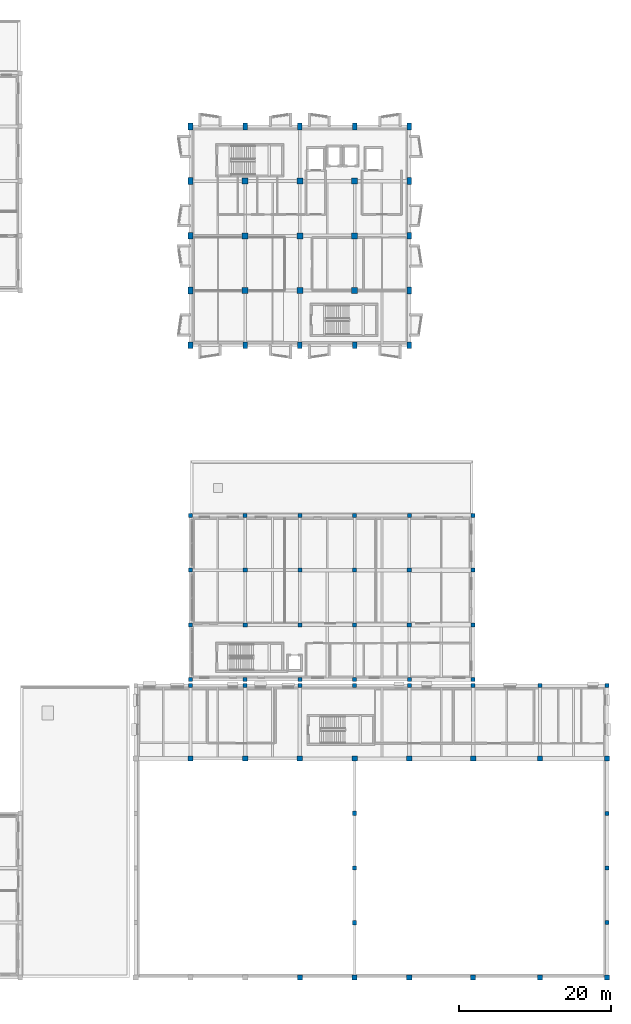
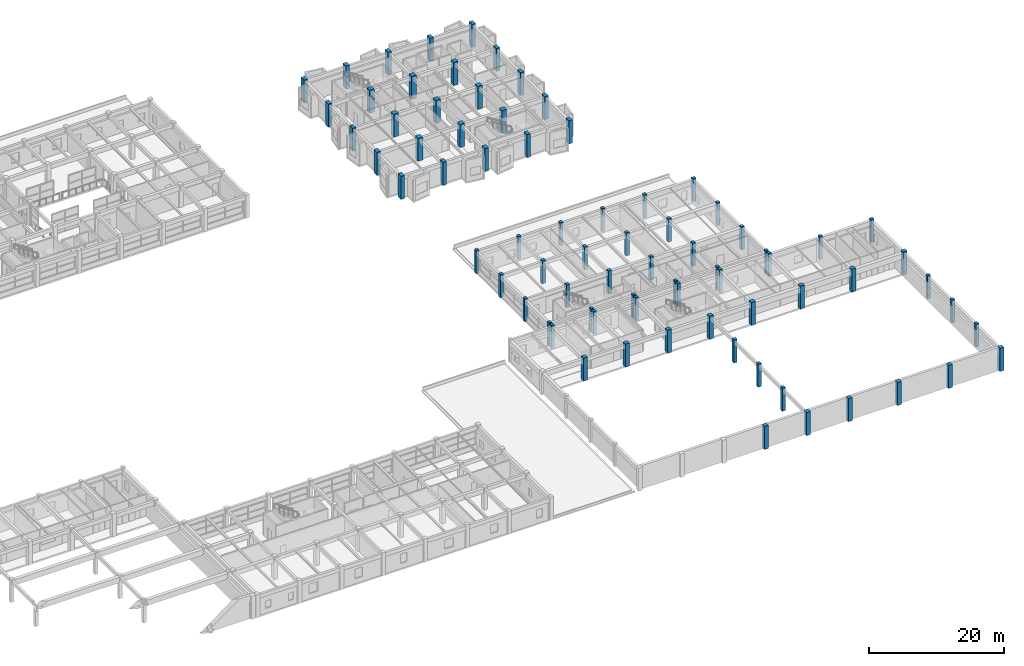
# One storey, part 2 of 67: 77 columns.
"""IFC4 building model written with IfcOpenShell, lengths in metres."""

from ifc_helpers import new_model, si_unit, direction, frame, origin, origin_2d, place, context, subcontext, project, spatial, rectangle, extrude, material, material_profile, profile_set, type_object, element, save


model = new_model("IFC4")

# Units and contexts
model_context = context("Model", 3, precision=1e-05, world=origin(), true_north=direction((0.0, 1.0)))
body_context = subcontext(model_context, "Body", "Model", "MODEL_VIEW")
ifc_project = project(units=[si_unit("LENGTHUNIT", "METRE"), si_unit("AREAUNIT", "SQUARE_METRE"), si_unit("VOLUMEUNIT", "CUBIC_METRE"), si_unit("PLANEANGLEUNIT", "RADIAN"), si_unit("MASSUNIT", "GRAM", prefix="KILO")], contexts=[model_context])

# Site, building, storey
site_placement = place(None, origin())
site = spatial("IfcSite", under=ifc_project, at=site_placement, CompositionType="ELEMENT")
building_placement = place(site_placement, origin())
building = spatial("IfcBuilding", under=site, at=building_placement, Name="Bramveld Media Centre", CompositionType="ELEMENT")
storey_placement = place(building_placement, frame((0.0, 0.0, 5.39990234375)))
storey = spatial("IfcBuildingStorey", under=building, at=storey_placement, Name="L01", CompositionType="ELEMENT", Elevation=5.39990234375)

# Columns
ifc_material_1 = material(Name="Concrete C40/50", Category="concrete")
ifc_material_profile_1 = material_profile(ifc_material_1, rectangle(XDim=0.52001953125, YDim=0.52001953125, at=origin_2d()), Name="RC 520x520")
ifc_profile_set_1 = profile_set([ifc_material_profile_1], Name="Concrete C40/50")
column_type_1 = type_object("IfcColumnType", Name="COL-EXT-RC-520x520", PredefinedType="COLUMN", material=ifc_profile_set_1)
for number, where, z_axis, x_axis, name in (
    (1, (131.199951171875, 38.39990234375, 0.0), (0.0, 0.0, 1.0), (1.0, 0.0, 0.0), "V1 L01 column RC 520x520"),
    (2, (138.39990234375, 38.39990234375, 0.0), (0.0, 0.0, 1.0), (1.0, 0.0, 0.0), "V1 L01 column RC 520x520"),
    (3, (145.60009765625, 38.39990234375, 0.0), (0.0, 0.0, 1.0), (1.0, 0.0, 0.0), "V1 L01 column RC 520x520"),
    (4, (152.800048828125, 38.39990234375, 0.0), (0.0, 0.0, 1.0), (1.0, 0.0, 0.0), "V1 L01 column RC 520x520"),
    (5, (160.0, 38.39990234375, 0.0), (0.0, 0.0, 1.0), (1.0, 0.0, 0.0), "V1 L01 column RC 520x520"),
    (6, (168.39990234375, 38.39990234375, 0.0), (0.0, 0.0, 1.0), (1.0, 0.0, 0.0), "V1 L01 column RC 520x520"),
    (7, (177.199951171875, 38.39990234375, 0.0), (0.0, 0.0, 1.0), (1.0, 0.0, 0.0), "V1 L01 column RC 520x520"),
    (8, (186.0, 7.199951171875, 0.0), (0.0, 0.0, 1.0), (1.0, 0.0, 0.0), "V1 L01 column RC 520x520"),
    (9, (186.0, 14.39990234375, 0.0), (0.0, 0.0, 1.0), (1.0, 0.0, 0.0), "V1 L01 column RC 520x520"),
    (10, (186.0, 21.60009765625, 0.0), (0.0, 0.0, 1.0), (1.0, 0.0, 0.0), "V1 L01 column RC 520x520"),
    (11, (186.0, 38.39990234375, 0.0), (0.0, 0.0, 1.0), (1.0, 0.0, 0.0), "V1 L01 column RC 520x520"),
    (12, (131.199951171875, 39.199951171875, 0.0), (0.0, 0.0, 1.0), (1.0, 0.0, 0.0), "V4 L01 column RC 520x520"),
    (13, (131.199951171875, 46.39990234375, 0.0), (0.0, 0.0, 1.0), (1.0, 0.0, 0.0), "V4 L01 column RC 520x520"),
    (14, (131.199951171875, 53.60009765625, 0.0), (0.0, 0.0, 1.0), (1.0, 0.0, 0.0), "V4 L01 column RC 520x520"),
    (15, (131.199951171875, 60.800048828125, 0.0), (0.0, 0.0, 1.0), (1.0, 0.0, 0.0), "V4 L01 column RC 520x520"),
    (16, (138.39990234375, 39.199951171875, 0.0), (0.0, 0.0, 1.0), (1.0, 0.0, 0.0), "V4 L01 column RC 520x520"),
    (17, (138.39990234375, 60.800048828125, 0.0), (0.0, 0.0, 1.0), (1.0, 0.0, 0.0), "V4 L01 column RC 520x520"),
    (18, (145.60009765625, 39.199951171875, 0.0), (0.0, 0.0, 1.0), (1.0, 0.0, 0.0), "V4 L01 column RC 520x520"),
    (19, (145.60009765625, 60.800048828125, 0.0), (0.0, 0.0, 1.0), (1.0, 0.0, 0.0), "V4 L01 column RC 520x520"),
    (20, (152.800048828125, 39.199951171875, 0.0), (0.0, 0.0, 1.0), (1.0, 0.0, 0.0), "V4 L01 column RC 520x520"),
    (21, (152.800048828125, 60.800048828125, 0.0), (0.0, 0.0, 1.0), (1.0, 0.0, 0.0), "V4 L01 column RC 520x520"),
    (22, (160.0, 39.199951171875, 0.0), (0.0, 0.0, 1.0), (1.0, 0.0, 0.0), "V4 L01 column RC 520x520"),
    (23, (160.0, 60.800048828125, 0.0), (0.0, 0.0, 1.0), (1.0, 0.0, 0.0), "V4 L01 column RC 520x520"),
    (24, (168.39990234375, 39.199951171875, 0.0), (0.0, 0.0, 1.0), (1.0, 0.0, 0.0), "V4 L01 column RC 520x520"),
    (25, (168.39990234375, 46.39990234375, 0.0), (0.0, 0.0, 1.0), (1.0, 0.0, 0.0), "V4 L01 column RC 520x520"),
    (26, (168.39990234375, 53.60009765625, 0.0), (0.0, 0.0, 1.0), (1.0, 0.0, 0.0), "V4 L01 column RC 520x520"),
    (27, (168.39990234375, 60.800048828125, 0.0), (0.0, 0.0, 1.0), (1.0, 0.0, 0.0), "V4 L01 column RC 520x520"),
):
    element("IfcColumn", number, at=place(storey_placement, frame(where, z_axis=z_axis, x_axis=x_axis)), inside=storey, type_object=column_type_1, Name=name, PredefinedType="COLUMN", context=body_context, shape_type="SweptSolid", body=[
        extrude(rectangle(XDim=0.52001953125, YDim=0.52001953125, at=origin_2d()), origin(), (0.0, 0.0, 1.0), 4.2001953125),
    ])
ifc_material_2 = material(Name="Concrete C40/50", Category="concrete")
ifc_material_profile_2 = material_profile(ifc_material_2, rectangle(XDim=0.60009765625, YDim=0.89990234375, at=origin_2d()), Name="RC 600x900")
ifc_profile_set_2 = profile_set([ifc_material_profile_2], Name="Concrete C40/50")
column_type_2 = type_object("IfcColumnType", Name="COL-EXT-RC-600x900", PredefinedType="COLUMN", material=ifc_profile_set_2)
for number, where, z_axis, x_axis, name in (
    (28, (131.199951171875, 83.199951171875, 0.0), (0.0, 0.0, 1.0), (1.0, 0.0, 0.0), "V7 L01 column RC 600x900"),
    (29, (131.199951171875, 90.39990234375, 0.0), (0.0, 0.0, 1.0), (1.0, 0.0, 0.0), "V7 L01 column RC 600x900"),
    (30, (131.199951171875, 97.60009765625, 0.0), (0.0, 0.0, 1.0), (1.0, 0.0, 0.0), "V7 L01 column RC 600x900"),
    (31, (131.199951171875, 104.800048828125, 0.0), (0.0, 0.0, 1.0), (1.0, 0.0, 0.0), "V7 L01 column RC 600x900"),
    (32, (131.199951171875, 112.0, 0.0), (0.0, 0.0, 1.0), (1.0, 0.0, 0.0), "V7 L01 column RC 600x900"),
    (33, (138.39990234375, 83.199951171875, 0.0), (0.0, 0.0, 1.0), (1.0, 0.0, 0.0), "V7 L01 column RC 600x900"),
    (34, (138.39990234375, 112.0, 0.0), (0.0, 0.0, 1.0), (1.0, 0.0, 0.0), "V7 L01 column RC 600x900"),
    (35, (145.60009765625, 83.199951171875, 0.0), (0.0, 0.0, 1.0), (1.0, 0.0, 0.0), "V7 L01 column RC 600x900"),
    (36, (145.60009765625, 112.0, 0.0), (0.0, 0.0, 1.0), (1.0, 0.0, 0.0), "V7 L01 column RC 600x900"),
    (37, (152.800048828125, 83.199951171875, 0.0), (0.0, 0.0, 1.0), (1.0, 0.0, 0.0), "V7 L01 column RC 600x900"),
    (38, (152.800048828125, 112.0, 0.0), (0.0, 0.0, 1.0), (1.0, 0.0, 0.0), "V7 L01 column RC 600x900"),
    (39, (160.0, 83.199951171875, 0.0), (0.0, 0.0, 1.0), (1.0, 0.0, 0.0), "V7 L01 column RC 600x900"),
    (40, (160.0, 90.39990234375, 0.0), (0.0, 0.0, 1.0), (1.0, 0.0, 0.0), "V7 L01 column RC 600x900"),
    (41, (160.0, 97.60009765625, 0.0), (0.0, 0.0, 1.0), (1.0, 0.0, 0.0), "V7 L01 column RC 600x900"),
    (42, (160.0, 104.800048828125, 0.0), (0.0, 0.0, 1.0), (1.0, 0.0, 0.0), "V7 L01 column RC 600x900"),
    (43, (160.0, 112.0, 0.0), (0.0, 0.0, 1.0), (1.0, 0.0, 0.0), "V7 L01 column RC 600x900"),
):
    element("IfcColumn", number, at=place(storey_placement, frame(where, z_axis=z_axis, x_axis=x_axis)), inside=storey, type_object=column_type_2, Name=name, PredefinedType="COLUMN", context=body_context, shape_type="SweptSolid", body=[
        extrude(rectangle(XDim=0.60009765625, YDim=0.89990234375, at=origin_2d()), origin(), (0.0, 0.0, 1.0), 4.2001953125),
    ])
ifc_material_3 = material(Name="Concrete C40/50", Category="concrete")
ifc_material_profile_3 = material_profile(ifc_material_3, rectangle(XDim=0.679931640625, YDim=0.679931640625, at=origin_2d()), Name="RC 680x680")
ifc_profile_set_3 = profile_set([ifc_material_profile_3], Name="Concrete C40/50")
column_type_3 = type_object("IfcColumnType", Name="COL-EXT-RC-680x680", PredefinedType="COLUMN", material=ifc_profile_set_3)
for number, where, z_axis, x_axis, name in (
    (44, (145.60009765625, 0.0, 0.0), (0.0, 0.0, 1.0), (1.0, 0.0, 0.0), "V1 L01 column RC 680x680"),
    (45, (152.800048828125, 0.0, 0.0), (0.0, 0.0, 1.0), (1.0, 0.0, 0.0), "V1 L01 column RC 680x680"),
    (46, (160.0, 0.0, 0.0), (0.0, 0.0, 1.0), (1.0, 0.0, 0.0), "V1 L01 column RC 680x680"),
    (47, (168.39990234375, 0.0, 0.0), (0.0, 0.0, 1.0), (1.0, 0.0, 0.0), "V1 L01 column RC 680x680"),
    (48, (177.199951171875, 0.0, 0.0), (0.0, 0.0, 1.0), (1.0, 0.0, 0.0), "V1 L01 column RC 680x680"),
    (49, (186.0, 0.0, 0.0), (0.0, 0.0, 1.0), (1.0, 0.0, 0.0), "V1 L01 column RC 680x680"),
    (50, (186.0, 28.800048828125, 0.0), (0.0, 0.0, 1.0), (1.0, 0.0, 0.0), "V1 L01 column RC 680x680"),
):
    element("IfcColumn", number, at=place(storey_placement, frame(where, z_axis=z_axis, x_axis=x_axis)), inside=storey, type_object=column_type_3, Name=name, PredefinedType="COLUMN", context=body_context, shape_type="SweptSolid", body=[
        extrude(rectangle(XDim=0.679931640625, YDim=0.679931640625, at=origin_2d()), origin(), (0.0, 0.0, 1.0), 4.2001953125),
    ])
ifc_material_4 = material(Name="Concrete C40/50", Category="concrete")
ifc_material_profile_4 = material_profile(ifc_material_4, rectangle(XDim=0.550048828125, YDim=0.550048828125, at=origin_2d()), Name="RC 550x550")
ifc_profile_set_4 = profile_set([ifc_material_profile_4], Name="Concrete C40/50")
column_type_4 = type_object("IfcColumnType", Name="COL-INT-RC-550x550", PredefinedType="COLUMN", material=ifc_profile_set_4)
for number, where, z_axis, x_axis, name in (
    (51, (152.800048828125, 7.199951171875, 0.0), (0.0, 0.0, 1.0), (1.0, 0.0, 0.0), "V1 L01 column RC 550x550"),
    (52, (152.800048828125, 14.39990234375, 0.0), (0.0, 0.0, 1.0), (1.0, 0.0, 0.0), "V1 L01 column RC 550x550"),
    (53, (152.800048828125, 21.60009765625, 0.0), (0.0, 0.0, 1.0), (1.0, 0.0, 0.0), "V1 L01 column RC 550x550"),
    (54, (138.39990234375, 46.39990234375, 0.0), (0.0, 0.0, 1.0), (1.0, 0.0, 0.0), "V4 L01 column RC 550x550"),
    (55, (138.39990234375, 53.60009765625, 0.0), (0.0, 0.0, 1.0), (1.0, 0.0, 0.0), "V4 L01 column RC 550x550"),
    (56, (145.60009765625, 46.39990234375, 0.0), (0.0, 0.0, 1.0), (1.0, 0.0, 0.0), "V4 L01 column RC 550x550"),
    (57, (145.60009765625, 53.60009765625, 0.0), (0.0, 0.0, 1.0), (1.0, 0.0, 0.0), "V4 L01 column RC 550x550"),
    (58, (152.800048828125, 46.39990234375, 0.0), (0.0, 0.0, 1.0), (1.0, 0.0, 0.0), "V4 L01 column RC 550x550"),
    (59, (152.800048828125, 53.60009765625, 0.0), (0.0, 0.0, 1.0), (1.0, 0.0, 0.0), "V4 L01 column RC 550x550"),
    (60, (160.0, 46.39990234375, 0.0), (0.0, 0.0, 1.0), (1.0, 0.0, 0.0), "V4 L01 column RC 550x550"),
    (61, (160.0, 53.60009765625, 0.0), (0.0, 0.0, 1.0), (1.0, 0.0, 0.0), "V4 L01 column RC 550x550"),
):
    element("IfcColumn", number, at=place(storey_placement, frame(where, z_axis=z_axis, x_axis=x_axis)), inside=storey, type_object=column_type_4, Name=name, PredefinedType="COLUMN", context=body_context, shape_type="SweptSolid", body=[
        extrude(rectangle(XDim=0.550048828125, YDim=0.550048828125, at=origin_2d()), origin(), (0.0, 0.0, 1.0), 4.2001953125),
    ])
ifc_material_5 = material(Name="Concrete C40/50", Category="concrete")
ifc_material_profile_5 = material_profile(ifc_material_5, rectangle(XDim=0.699951171875, YDim=0.699951171875, at=origin_2d()), Name="RC 700x700")
ifc_profile_set_5 = profile_set([ifc_material_profile_5], Name="Concrete C40/50")
column_type_5 = type_object("IfcColumnType", Name="COL-INT-RC-700x700", PredefinedType="COLUMN", material=ifc_profile_set_5)
for number, where, z_axis, x_axis, name in (
    (62, (131.199951171875, 28.800048828125, 0.0), (0.0, 0.0, 1.0), (1.0, 0.0, 0.0), "V1 L01 column RC 700x700"),
    (63, (138.39990234375, 28.800048828125, 0.0), (0.0, 0.0, 1.0), (1.0, 0.0, 0.0), "V1 L01 column RC 700x700"),
    (64, (145.60009765625, 28.800048828125, 0.0), (0.0, 0.0, 1.0), (1.0, 0.0, 0.0), "V1 L01 column RC 700x700"),
    (65, (152.800048828125, 28.800048828125, 0.0), (0.0, 0.0, 1.0), (1.0, 0.0, 0.0), "V1 L01 column RC 700x700"),
    (66, (160.0, 28.800048828125, 0.0), (0.0, 0.0, 1.0), (1.0, 0.0, 0.0), "V1 L01 column RC 700x700"),
    (67, (168.39990234375, 28.800048828125, 0.0), (0.0, 0.0, 1.0), (1.0, 0.0, 0.0), "V1 L01 column RC 700x700"),
    (68, (177.199951171875, 28.800048828125, 0.0), (0.0, 0.0, 1.0), (1.0, 0.0, 0.0), "V1 L01 column RC 700x700"),
):
    element("IfcColumn", number, at=place(storey_placement, frame(where, z_axis=z_axis, x_axis=x_axis)), inside=storey, type_object=column_type_5, Name=name, PredefinedType="COLUMN", context=body_context, shape_type="SweptSolid", body=[
        extrude(rectangle(XDim=0.699951171875, YDim=0.699951171875, at=origin_2d()), origin(), (0.0, 0.0, 1.0), 4.2001953125),
    ])
ifc_material_6 = material(Name="Concrete C40/50", Category="concrete")
ifc_material_profile_6 = material_profile(ifc_material_6, rectangle(XDim=0.800048828125, YDim=0.800048828125, at=origin_2d()), Name="RC 800x800")
ifc_profile_set_6 = profile_set([ifc_material_profile_6], Name="Concrete C40/50")
column_type_6 = type_object("IfcColumnType", Name="COL-INT-RC-800x800", PredefinedType="COLUMN", material=ifc_profile_set_6)
for number, where, z_axis, x_axis, name in (
    (69, (138.39990234375, 90.39990234375, 0.0), (0.0, 0.0, 1.0), (1.0, 0.0, 0.0), "V7 L01 column RC 800x800"),
    (70, (138.39990234375, 97.60009765625, 0.0), (0.0, 0.0, 1.0), (1.0, 0.0, 0.0), "V7 L01 column RC 800x800"),
    (71, (138.39990234375, 104.800048828125, 0.0), (0.0, 0.0, 1.0), (1.0, 0.0, 0.0), "V7 L01 column RC 800x800"),
    (72, (145.60009765625, 90.39990234375, 0.0), (0.0, 0.0, 1.0), (1.0, 0.0, 0.0), "V7 L01 column RC 800x800"),
    (73, (145.60009765625, 97.60009765625, 0.0), (0.0, 0.0, 1.0), (1.0, 0.0, 0.0), "V7 L01 column RC 800x800"),
    (74, (145.60009765625, 104.800048828125, 0.0), (0.0, 0.0, 1.0), (1.0, 0.0, 0.0), "V7 L01 column RC 800x800"),
    (75, (152.800048828125, 90.39990234375, 0.0), (0.0, 0.0, 1.0), (1.0, 0.0, 0.0), "V7 L01 column RC 800x800"),
    (76, (152.800048828125, 97.60009765625, 0.0), (0.0, 0.0, 1.0), (1.0, 0.0, 0.0), "V7 L01 column RC 800x800"),
    (77, (152.800048828125, 104.800048828125, 0.0), (0.0, 0.0, 1.0), (1.0, 0.0, 0.0), "V7 L01 column RC 800x800"),
):
    element("IfcColumn", number, at=place(storey_placement, frame(where, z_axis=z_axis, x_axis=x_axis)), inside=storey, type_object=column_type_6, Name=name, PredefinedType="COLUMN", context=body_context, shape_type="SweptSolid", body=[
        extrude(rectangle(XDim=0.800048828125, YDim=0.800048828125, at=origin_2d()), origin(), (0.0, 0.0, 1.0), 4.2001953125),
    ])

save(model, "model.ifc")
